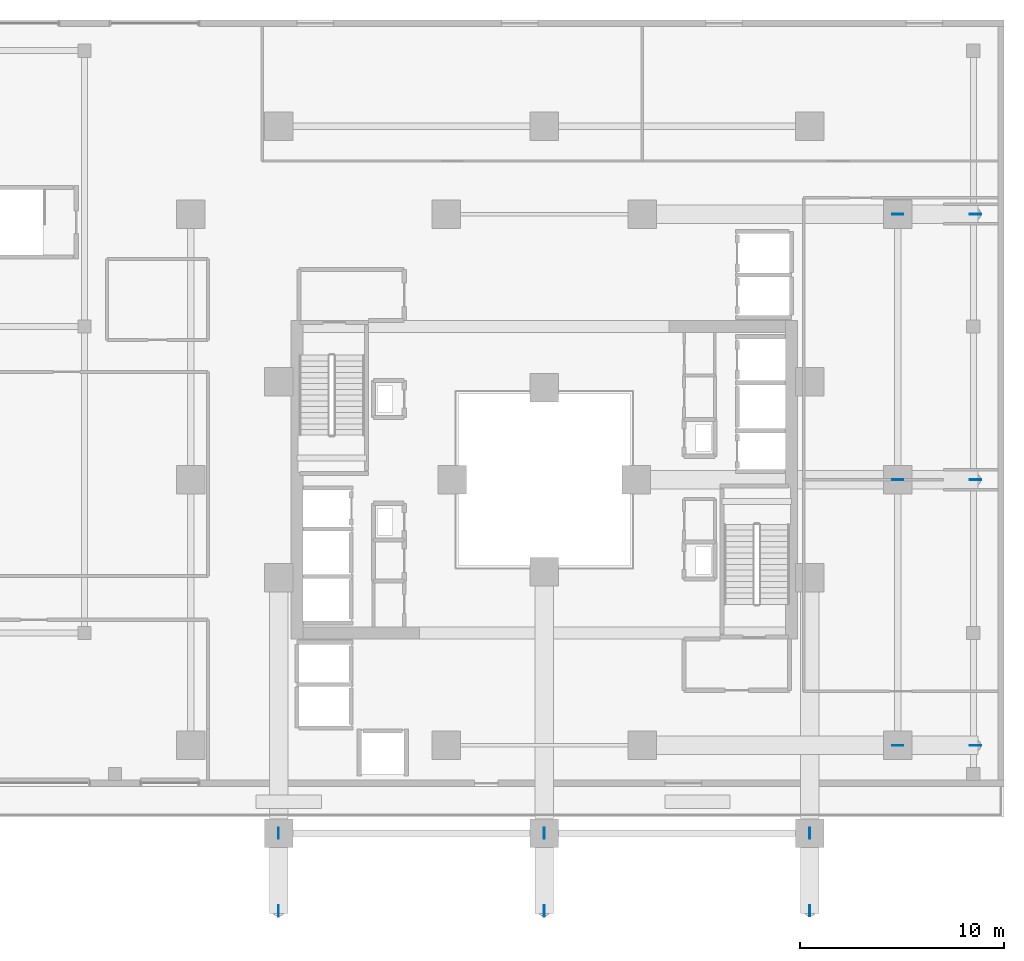
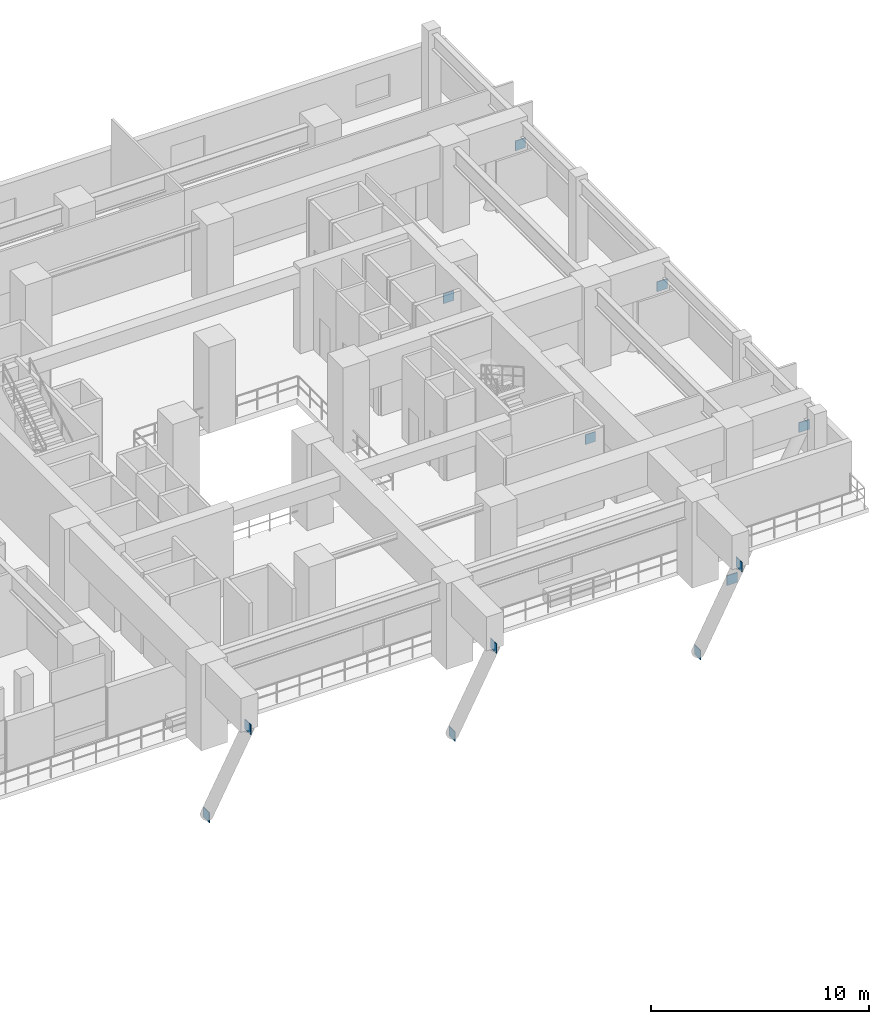
# One storey, part 13 of 25: 12 plates.
"""IFC4 building model written with IfcOpenShell, lengths in metres."""

import ifcopenshell
import ifcopenshell.guid

model = None  # the IFC model being written
_history = None  # IfcOwnerHistory: only IFC2X3 demands one
_inside = {}  # id of a spatial element -> (the spatial element, [elements in it])
_under = {}  # id of a project, library or spatial element -> (it, [spatial elements below it])
_declared = {}  # id of a project -> (the project, [libraries it declares])
_typed = {}  # id of a type object -> (the type object, [elements of that type])
_made_of = {}  # id of a material, layer set ... -> (it, [elements and type objects made of it])


def new_model(schema):
    """Start an empty IFC model of exactly this schema.

    Asked for "IFC4X3", IfcOpenShell would pick the latest addendum, in which some entities
    have other attributes; the version numbers below select the first issue.
    IFC2X3 requires an IfcOwnerHistory on every rooted entity: one is made here for all.
    """
    global model, _history
    if schema == "IFC4X3":
        model = ifcopenshell.file(schema_version=(4, 3, 0, 0))
    else:
        model = ifcopenshell.file(schema=schema)
    _inside.clear()
    _under.clear()
    _declared.clear()
    _typed.clear()
    _made_of.clear()
    _history = None
    if model.schema == "IFC2X3":
        org = make("IfcOrganization", Name="unknown")
        user = make(
            "IfcPersonAndOrganization",
            ThePerson=make("IfcPerson", FamilyName="unknown"),
            TheOrganization=org,
        )
        app = make(
            "IfcApplication",
            ApplicationDeveloper=org,
            Version="unknown",
            ApplicationFullName="unknown",
            ApplicationIdentifier="unknown",
        )
        _history = make(
            "IfcOwnerHistory",
            OwningUser=user,
            OwningApplication=app,
            ChangeAction="ADDED",
            CreationDate=0,
        )
    return model


def make(cls, **values):
    """One entity of the class cls with the attributes given. An attribute that is None is left unset."""
    return model.create_entity(
        cls, **{name: value for name, value in values.items() if value is not None}
    )


def rooted(cls, **values):
    """An entity with a GlobalId (a new one), such as an element, a storey or a relation."""
    return make(cls, GlobalId=ifcopenshell.guid.new(), OwnerHistory=_history, **values)


def si_unit(unit_type, name, prefix=None):
    """IfcSIUnit, for example si_unit("LENGTHUNIT", "METRE", prefix="MILLI")."""
    return make("IfcSIUnit", UnitType=unit_type, Prefix=prefix, Name=name)


def assignment(units):
    """IfcUnitAssignment: the units of a project."""
    return None if units is None else make("IfcUnitAssignment", Units=units)


def point(xyz):
    """IfcCartesianPoint."""
    return None if xyz is None else make("IfcCartesianPoint", Coordinates=xyz)


def direction(xyz):
    """IfcDirection."""
    return None if xyz is None else make("IfcDirection", DirectionRatios=xyz)


def frame(location, z_axis=None, x_axis=None):
    """IfcAxis2Placement3D, a coordinate frame: its origin and axes. An axis left out is left unset."""
    return make(
        "IfcAxis2Placement3D",
        Location=point(location),
        Axis=direction(z_axis),
        RefDirection=direction(x_axis),
    )


def frame_2d(location, x_axis=None):
    """IfcAxis2Placement2D, a coordinate frame in the plane: its origin and x axis."""
    return make(
        "IfcAxis2Placement2D", Location=point(location), RefDirection=direction(x_axis)
    )


def origin():
    """The frame at (0, 0, 0) with its axes left unset."""
    return frame((0.0, 0.0, 0.0))


def origin_2d():
    """The frame at (0, 0) in the plane with its x axis left unset."""
    return frame_2d((0.0, 0.0))


def place(relative_to, where):
    """IfcLocalPlacement: puts the frame where relative to a parent placement (None: the world)."""
    return make(
        "IfcLocalPlacement", PlacementRelTo=relative_to, RelativePlacement=where
    )


def context(
    kind, dimensions, precision=None, world=None, true_north=None, identifier=None
):
    """IfcGeometricRepresentationContext, for example the 3D "Model" context."""
    return make(
        "IfcGeometricRepresentationContext",
        ContextIdentifier=identifier,
        ContextType=kind,
        CoordinateSpaceDimension=dimensions,
        Precision=precision,
        WorldCoordinateSystem=world,
        TrueNorth=true_north,
    )


def subcontext(parent, identifier, kind, view, scale=None):
    """IfcGeometricRepresentationSubContext, for example "Body" below "Model"."""
    return make(
        "IfcGeometricRepresentationSubContext",
        ContextIdentifier=identifier,
        ContextType=kind,
        ParentContext=parent,
        TargetScale=scale,
        TargetView=view,
    )


def project(units=None, contexts=None):
    """IfcProject with its units and contexts."""
    return rooted(
        "IfcProject",
        Name="project",
        RepresentationContexts=contexts,
        UnitsInContext=assignment(units),
    )


def spatial(cls, under=None, at=None, **own):
    """A site, building, storey or space (cls), placed at a placement, below another one or the project."""
    s = rooted(cls, ObjectPlacement=at, **own)
    if under is not None:
        _under.setdefault(under.id(), (under, []))[1].append(s)
    return s


def profile(cls, at=None, kind="AREA", **sizes):
    """A parametric profile (cls). Its sizes go by their IFC names, for example OverallWidth=200.0."""
    return make(cls, ProfileType=kind, Position=at, **sizes)


def rectangle(**sizes):
    """IfcRectangleProfileDef."""
    return profile("IfcRectangleProfileDef", **sizes)


def extrude(swept, where, along, depth):
    """IfcExtrudedAreaSolid: the profile swept, set in the frame where, extruded along a direction by depth."""
    return make(
        "IfcExtrudedAreaSolid",
        SweptArea=swept,
        Position=where,
        ExtrudedDirection=direction(along),
        Depth=depth,
    )


def shape(context_of_items, identifier, shape_type, items):
    """IfcShapeRepresentation: the items that make up one representation, for example the "Body"."""
    return make(
        "IfcShapeRepresentation",
        ContextOfItems=context_of_items,
        RepresentationIdentifier=identifier,
        RepresentationType=shape_type,
        Items=items,
    )


def material(Name=None, Category=None):
    """IfcMaterial."""
    return make("IfcMaterial", Name=Name, Category=Category)


def layer(
    of_material, thickness, ventilated=None, Name=None, Category=None, Priority=None
):
    """IfcMaterialLayer: one layer of a wall or slab, of a material (None: an air gap)."""
    return make(
        "IfcMaterialLayer",
        Material=of_material,
        LayerThickness=thickness,
        IsVentilated=ventilated,
        Name=Name,
        Category=Category,
        Priority=Priority,
    )


def layer_set(layers, Name=None):
    """IfcMaterialLayerSet."""
    return make("IfcMaterialLayerSet", MaterialLayers=layers, LayerSetName=Name)


def made_of(thing, what):
    """Note that an element or type object is made of a material, layer set ...; save() writes the relation."""
    if what is not None:
        _made_of.setdefault(what.id(), (what, []))[1].append(thing)
    return thing


def type_object(cls, material=None, **own):
    """A type object (cls), such as IfcWallType, which elements share."""
    return made_of(rooted(cls, **own), material)


def element(
    cls,
    number,
    at=None,
    inside=None,
    cuts=None,
    type_object=None,
    material=None,
    context=None,
    identifier="Body",
    shape_type=None,
    held_by="IfcProductDefinitionShape",
    body=None,
    shapes=None,
    **own,
):
    """One element of the class cls, such as IfcWall. Its Tag is "e" and its number.

    at: its placement. inside: the storey or other place that contains it. cuts: it is an
    opening in that element (IfcRelVoidsElement). A single representation is given by context,
    identifier, shape_type and body (its items); several are given by shapes. held_by: the class
    of the entity that holds the representations. save() writes the other relations.
    """
    e = rooted(cls, Tag="e%d" % number, ObjectPlacement=at, **own)
    if body is not None:
        shapes = [shape(context, identifier, shape_type, body)]
    if shapes is not None:
        e.Representation = make(held_by, Representations=shapes)
    if inside is not None:
        _inside.setdefault(inside.id(), (inside, []))[1].append(e)
    if cuts is not None:
        rooted(
            "IfcRelVoidsElement", RelatingBuildingElement=cuts, RelatedOpeningElement=e
        )
    if type_object is not None:
        _typed.setdefault(type_object.id(), (type_object, []))[1].append(e)
    return made_of(e, material)


def aggregate(whole, parts):
    """IfcRelAggregates: a whole, such as a stair, and the parts it consists of."""
    return rooted("IfcRelAggregates", RelatingObject=whole, RelatedObjects=parts)


def save(model, path):
    """Write the relations noted so far, then the file.

    IfcRelAggregates (storeys below a building ...), IfcRelContainedInSpatialStructure (elements
    in a storey), IfcRelDefinesByType, IfcRelAssociatesMaterial and IfcRelDeclares: one each for
    every whole, place, type object, material and project.
    """
    for whole, parts in _under.values():
        aggregate(whole, parts)
    for where, things in _inside.values():
        rooted(
            "IfcRelContainedInSpatialStructure",
            RelatedElements=things,
            RelatingStructure=where,
        )
    for kind, things in _typed.values():
        rooted("IfcRelDefinesByType", RelatedObjects=things, RelatingType=kind)
    for what, things in _made_of.values():
        rooted("IfcRelAssociatesMaterial", RelatedObjects=things, RelatingMaterial=what)
    for by, libraries in _declared.values():
        rooted("IfcRelDeclares", RelatingContext=by, RelatedDefinitions=libraries)
    model.write(path)


model = new_model("IFC4")

# Units and contexts
model_context = context("Model", 3, precision=1e-05, world=origin(), true_north=direction((0.0, 1.0)))
body_context = subcontext(model_context, "Body", "Model", "MODEL_VIEW")
ifc_project = project(units=[si_unit("LENGTHUNIT", "METRE"), si_unit("AREAUNIT", "SQUARE_METRE"), si_unit("VOLUMEUNIT", "CUBIC_METRE"), si_unit("PLANEANGLEUNIT", "RADIAN"), si_unit("MASSUNIT", "GRAM", prefix="KILO")], contexts=[model_context])

# Site, building, storey
site_placement = place(None, origin())
site = spatial("IfcSite", under=ifc_project, at=site_placement, CompositionType="ELEMENT")
building_placement = place(site_placement, origin())
building = spatial("IfcBuilding", under=site, at=building_placement, Name="Thornwick Lancets Civic Towers", CompositionType="ELEMENT")
storey_placement = place(building_placement, frame((0.0, 0.0, 23.10009765625)))
storey = spatial("IfcBuildingStorey", under=building, at=storey_placement, Name="L05", CompositionType="ELEMENT", Elevation=23.10009765625)

# Plates
ifc_material = material(Name="Steel S460M", Category="steel")
ifc_layer = layer(ifc_material, 0.0400390625, Name="Steel S460M")
ifc_layer_set = layer_set([ifc_layer], Name="Steel S460M")
plate_type = type_object("IfcPlateType", Name="PLT_GUSSET_40", PredefinedType="USERDEFINED", material=ifc_layer_set)
for number, where, z_axis, x_axis, name in (
    (1, (105.800048828125, 14.0, -4.52490234375), (0.0, 0.0, 1.0), (1.0, 0.0, 0.0), "L05 Brace Connection Gusset Plate 0013"),
    (2, (109.60009765625, 14.0, 2.705078125), (0.0, 0.0, 1.0), (1.0, 0.0, 0.0), "L05 Brace Connection Gusset Plate 0014"),
    (3, (105.800048828125, 27.0, -4.52490234375), (0.0, 0.0, 1.0), (1.0, 0.0, 0.0), "L05 Brace Connection Gusset Plate 0015"),
    (4, (109.60009765625, 27.0, 2.705078125), (0.0, 0.0, 1.0), (1.0, 0.0, 0.0), "L05 Brace Connection Gusset Plate 0016"),
    (5, (105.800048828125, 40.0, -4.52490234375), (0.0, 0.0, 1.0), (1.0, 0.0, 0.0), "L05 Brace Connection Gusset Plate 0017"),
    (6, (109.60009765625, 40.0, 2.705078125), (0.0, 0.0, 1.0), (1.0, 0.0, 0.0), "L05 Brace Connection Gusset Plate 0018"),
    (7, (101.5, 9.699951171875, -4.52490234375), (0.0, 0.0, 1.0), (0.0, -1.0, 0.0), "L05 Brace Connection Gusset Plate 0019"),
    (8, (101.5, 5.89990234375, 2.705078125), (0.0, 0.0, 1.0), (0.0, -1.0, 0.0), "L05 Brace Connection Gusset Plate 0020"),
    (9, (88.5, 9.699951171875, -4.52490234375), (0.0, 0.0, 1.0), (0.0, -1.0, 0.0), "L05 Brace Connection Gusset Plate 0021"),
    (10, (88.5, 5.89990234375, 2.705078125), (0.0, 0.0, 1.0), (0.0, -1.0, 0.0), "L05 Brace Connection Gusset Plate 0022"),
    (11, (75.5, 9.699951171875, -4.52490234375), (0.0, 0.0, 1.0), (0.0, -1.0, 0.0), "L05 Brace Connection Gusset Plate 0023"),
    (12, (75.5, 5.89990234375, 2.705078125), (0.0, 0.0, 1.0), (0.0, -1.0, 0.0), "L05 Brace Connection Gusset Plate 0024"),
):
    element("IfcPlate", number, at=place(storey_placement, frame(where, z_axis=z_axis, x_axis=x_axis)), inside=storey, type_object=plate_type, Name=name, ObjectType="GUSSET_PLATE", PredefinedType="USERDEFINED", context=body_context, shape_type="SweptSolid", body=[
        extrude(rectangle(XDim=0.550048828125, YDim=0.0400390625, at=origin_2d()), origin(), (0.0, 0.0, 1.0), 0.550048828125),
    ])

save(model, "model.ifc")
